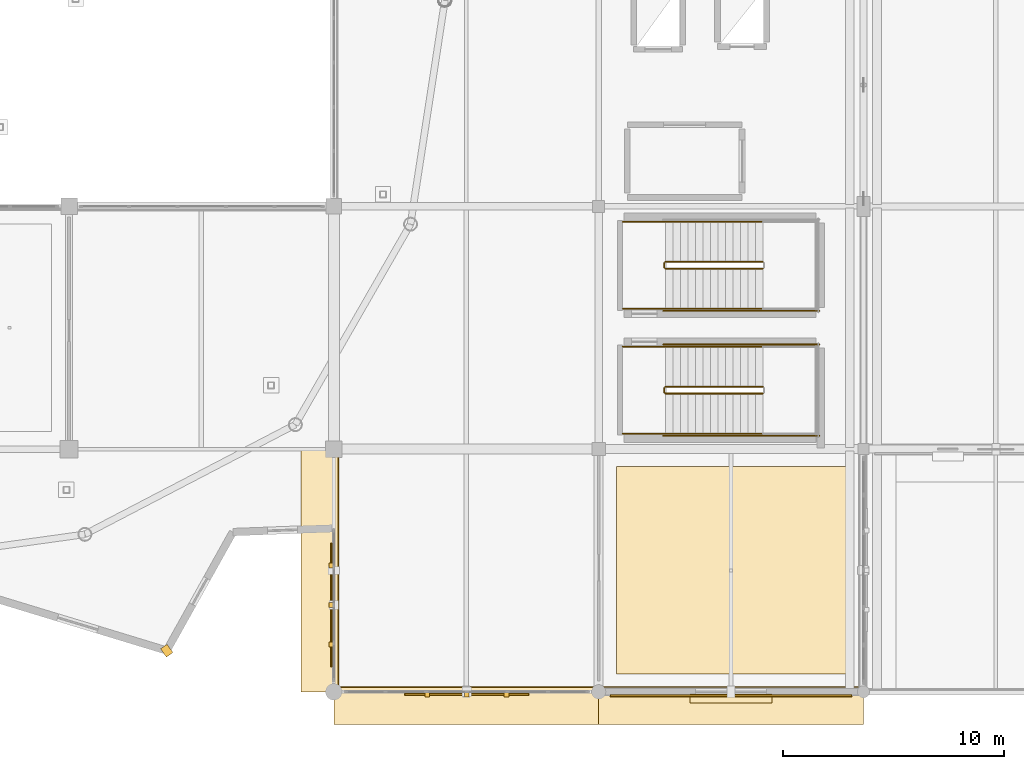
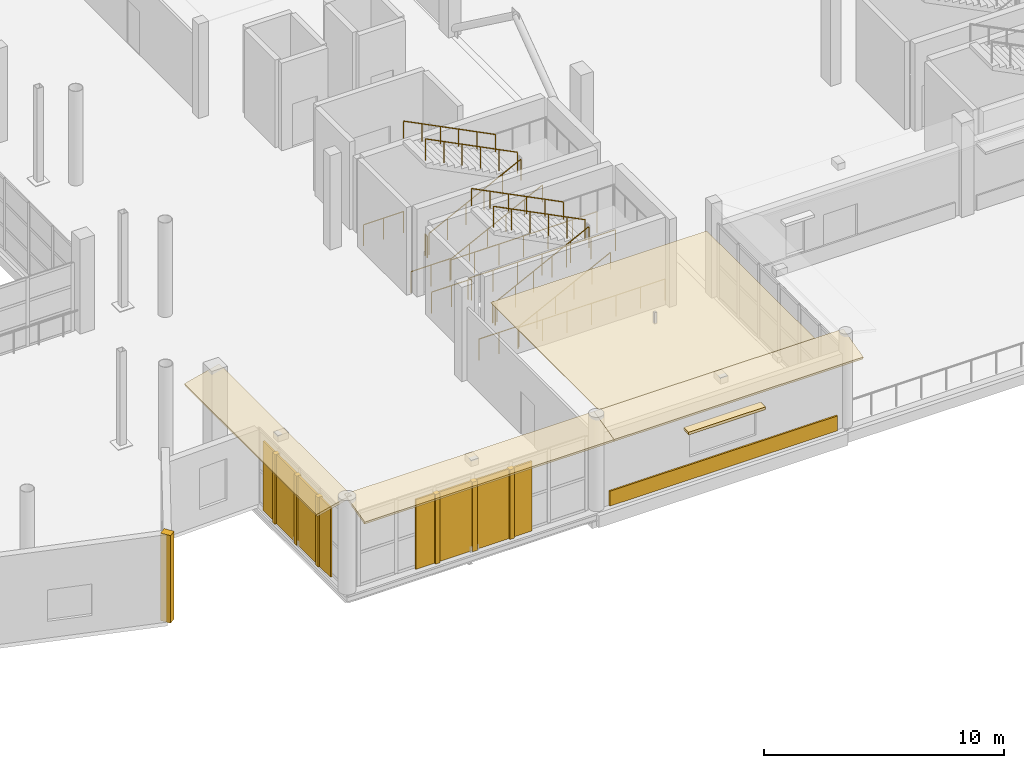
# One storey, part 130 of 143: 17 railings, 13 coverings, 2 shading devices.
"""IFC4 building model written with IfcOpenShell, lengths in metres."""

from ifc_helpers import new_model, si_unit, direction, frame, origin, origin_2d, place, context, subcontext, project, spatial, polyline, rectangle, circle, outline, extrude, material, layer, layer_set, type_object, element, save


model = new_model("IFC4")

# Units and contexts
model_context = context("Model", 3, precision=1e-05, world=origin(), true_north=direction((0.0, 1.0)))
body_context = subcontext(model_context, "Body", "Model", "MODEL_VIEW")
ifc_project = project(units=[si_unit("LENGTHUNIT", "METRE"), si_unit("AREAUNIT", "SQUARE_METRE"), si_unit("VOLUMEUNIT", "CUBIC_METRE"), si_unit("PLANEANGLEUNIT", "RADIAN"), si_unit("MASSUNIT", "GRAM", prefix="KILO")], contexts=[model_context])

# Site, building, storey
site_placement = place(None, origin())
site = spatial("IfcSite", under=ifc_project, at=site_placement, CompositionType="ELEMENT")
building_placement = place(site_placement, origin())
building = spatial("IfcBuilding", under=site, at=building_placement, Name="Luwafu Chhajja Arena", CompositionType="ELEMENT")
storey_placement = place(building_placement, frame((0.0, 0.0, 5.39990234375)))
storey = spatial("IfcBuildingStorey", under=building, at=storey_placement, Name="L01", CompositionType="ELEMENT", Elevation=5.39990234375)

# Coverings
ifc_material_1 = material(Name="Red laterite sandstone cladding", Category="masonry")
ifc_layer_1 = layer(ifc_material_1, 0.074951171875, Name="Red laterite sandstone cladding")
ifc_layer_set_1 = layer_set([ifc_layer_1], Name="Red laterite sandstone cladding")
covering_type_1 = type_object("IfcCoveringType", Name="Dressed Red-Laterite Sandstone Cladding", PredefinedType="CLADDING", material=ifc_layer_set_1)
covering_1_placement = place(storey_placement, frame((132.427490234375, 1.864013671875, 0.0), z_axis=(0.0, 0.0, 1.0), x_axis=(0.574411104334, -0.818566969293, 0.0)))
element("IfcCovering", 1, at=covering_1_placement, inside=storey, type_object=covering_type_1, Name="L01 Pleated Bowl Sandstone Ridge Fin 28", PredefinedType="CLADDING", context=body_context, shape_type="SweptSolid", body=[
    extrude(rectangle(XDim=0.4599609375, YDim=0.360107421875, at=origin_2d()), origin(), (0.0, 0.0, 1.0), 4.455078125),
])
covering_2_placement = place(storey_placement, frame((140.0, 0.199951171875, 4.760009765625), z_axis=(0.0, -0.242502450825, 0.970150793096), x_axis=(1.0, 0.0, 0.0)))
element("IfcCovering", 2, at=covering_2_placement, inside=storey, type_object=covering_type_1, Name="L01 Continuous Sloped Sandstone Chhajja Eave 0102", PredefinedType="CLADDING", context=body_context, shape_type="SweptSolid", body=[
    extrude(outline(polyline([(0.0, 0.0), (12.0, 0.0), (12.0, -1.731619097341133), (0.0, -1.731619097341133), (0.0, 0.0)])), origin(), (0.0, 0.0, -1.0), 0.1298828125),
])
for number, where, z_axis, x_axis, name in (
    (3, (144.23291015625, -0.110107421875, 0.0), (0.0, 0.0, 1.0), (1.0, 0.0, 0.0), "L01 Sandstone Jali Mullion Fin 018"),
    (4, (146.02490234375, -0.110107421875, 0.0), (0.0, 0.0, 1.0), (1.0, 0.0, 0.0), "L01 Sandstone Jali Mullion Fin 018"),
    (5, (147.81689453125, -0.110107421875, 0.0), (0.0, 0.0, 1.0), (1.0, 0.0, 0.0), "L01 Sandstone Jali Mullion Fin 018"),
):
    element("IfcCovering", number, at=place(storey_placement, frame(where, z_axis=z_axis, x_axis=x_axis)), inside=storey, type_object=covering_type_1, Name=name, PredefinedType="CLADDING", context=body_context, shape_type="SweptSolid", body=[
        extrude(rectangle(XDim=0.219970703125, YDim=0.239990234375, at=origin_2d()), origin(), (0.0, 0.0, 1.0), 3.5400390625),
    ])
covering_3_placement = place(storey_placement, frame((140.199951171875, 0.0, 4.760009765625), z_axis=(-0.242502450825, 0.0, 0.970150793096), x_axis=(0.0, 1.0, 0.0)))
element("IfcCovering", 6, at=covering_3_placement, inside=storey, type_object=covering_type_1, Name="L01 Continuous Sloped Sandstone Chhajja Eave 0103", PredefinedType="CLADDING", context=body_context, shape_type="SweptSolid", body=[
    extrude(outline(polyline([(0.0, 0.0), (11.0, 0.0), (11.0, 1.731619097341133), (0.0, 1.731619097341133), (0.0, 0.0)])), origin(), (0.0, 0.0, -1.0), 0.1298828125),
])
for number, where, z_axis, x_axis, name in (
    (7, (139.889892578125, 2.1396484375, 0.0), (0.0, 0.0, 1.0), (0.0, 1.0, 0.0), "L01 Sandstone Jali Mullion Fin 019"),
    (8, (139.889892578125, 3.931640625, 0.0), (0.0, 0.0, 1.0), (0.0, 1.0, 0.0), "L01 Sandstone Jali Mullion Fin 019"),
    (9, (139.889892578125, 5.7236328125, 0.0), (0.0, 0.0, 1.0), (0.0, 1.0, 0.0), "L01 Sandstone Jali Mullion Fin 019"),
):
    element("IfcCovering", number, at=place(storey_placement, frame(where, z_axis=z_axis, x_axis=x_axis)), inside=storey, type_object=covering_type_1, Name=name, PredefinedType="CLADDING", context=body_context, shape_type="SweptSolid", body=[
        extrude(rectangle(XDim=0.219970703125, YDim=0.239990234375, at=origin_2d()), origin(), (0.0, 0.0, 1.0), 3.5400390625),
    ])
covering_4_placement = place(storey_placement, frame((152.0, 0.199951171875, 4.760009765625), z_axis=(0.0, -0.242502450825, 0.970150793096), x_axis=(1.0, 0.0, 0.0)))
element("IfcCovering", 10, at=covering_4_placement, inside=storey, type_object=covering_type_1, Name="L01 Continuous Sloped Sandstone Chhajja Eave 0107", PredefinedType="CLADDING", context=body_context, shape_type="SweptSolid", body=[
    extrude(outline(polyline([(0.0, 0.0), (12.0, 0.0), (12.0, -1.731619097341133), (0.0, -1.731619097341133), (0.0, 0.0)])), origin(), (0.0, 0.0, -1.0), 0.1298828125),
])
covering_5_placement = place(storey_placement, frame((158.0, -0.172119140625, 0.0), z_axis=(0.0, 0.0, 1.0), x_axis=(1.0, 0.0, 0.0)))
element("IfcCovering", 11, at=covering_5_placement, inside=storey, type_object=covering_type_1, Name="L01 Red-Laterite Sandstone Plinth Cladding 029", PredefinedType="CLADDING", context=body_context, shape_type="SweptSolid", body=[
    extrude(rectangle(XDim=10.9599609375, YDim=0.0849609375, at=origin_2d()), origin(), (0.0, 0.0, 1.0), 0.760009765625),
])
covering_6_placement = place(storey_placement, frame((158.0, -0.300048828125, 2.5302734375), z_axis=(0.0, 0.0, 1.0), x_axis=(1.0, 0.0, 0.0)))
element("IfcCovering", 12, at=covering_6_placement, inside=storey, type_object=covering_type_1, Name="L01 Mughal Sandstone Window Chhajja Hood 0028", PredefinedType="CLADDING", context=body_context, shape_type="SweptSolid", body=[
    extrude(rectangle(XDim=3.699951171875, YDim=0.419921875, at=origin_2d()), origin(), (0.0, 0.0, 1.0), 0.139892578125),
])
ifc_material_2 = material(Name="Acoustic gypsum ceiling board")
ifc_layer_2 = layer(ifc_material_2, 0.0400390625, Name="Acoustic gypsum ceiling board")
ifc_layer_set_2 = layer_set([ifc_layer_2], Name="Acoustic gypsum ceiling board")
covering_type_2 = type_object("IfcCoveringType", Name="Perforated Acoustic Baffle Ceiling", PredefinedType="CEILING", material=ifc_layer_set_2)
covering_7_placement = place(storey_placement, frame((0.0, 0.0, 3.92138671875)))
element("IfcCovering", 13, at=covering_7_placement, inside=storey, type_object=covering_type_2, Name="L01 Acoustic Baffle Ceiling 035", PredefinedType="CEILING", context=body_context, shape_type="SweptSolid", body=[
    extrude(outline(polyline([(152.800048828125, 0.800048828125), (163.199951171875, 0.800048828125), (163.199951171875, 10.199951171875), (152.800048828125, 10.199951171875), (152.800048828125, 0.800048828125)])), origin(), (0.0, 0.0, 1.0), 0.0400390625),
])

# Shading devices
ifc_material_3 = material(Name="Pierced buff sandstone jali", Category="masonry")
ifc_layer_3 = layer(ifc_material_3, 0.080078125, Name="Pierced buff sandstone jali")
ifc_layer_set_3 = layer_set([ifc_layer_3], Name="Pierced buff sandstone jali")
shading_device_type = type_object("IfcShadingDeviceType", Name="Pierced Buff-Sandstone Jali Screen", PredefinedType="JALOUSIE", material=ifc_layer_set_3)
for number, where, z_axis, x_axis, name in (
    (14, (146.02490234375, -0.110107421875, 0.0), (0.0, 0.0, 1.0), (1.0, 0.0, 0.0), "L01 Pierced Buff-Sandstone Jali Screen 018"),
    (15, (139.889892578125, 3.931640625, 0.0), (0.0, 0.0, 1.0), (0.0, 1.0, 0.0), "L01 Pierced Buff-Sandstone Jali Screen 019"),
):
    element("IfcShadingDevice", number, at=place(storey_placement, frame(where, z_axis=z_axis, x_axis=x_axis)), inside=storey, type_object=shading_device_type, Name=name, PredefinedType="JALOUSIE", context=body_context, shape_type="SweptSolid", body=[
        extrude(rectangle(XDim=5.60009765625, YDim=0.080078125, at=origin_2d()), origin(), (0.0, 0.0, 1.0), 3.5400390625),
    ])

# Railings
ifc_material_4 = material(Name="Stainless steel handrail", Category="steel")
railing_type_1 = type_object("IfcRailingType", Name="Stair Pitch Wall Handrail 920", PredefinedType="HANDRAIL", material=ifc_material_4)
railing_1_placement = place(storey_placement, frame((155.02001953125, 11.699951171875, 0.171630859375)))
element("IfcRailing", 16, at=railing_1_placement, inside=storey, type_object=railing_type_1, Name="L01 ST-03 stair handrail 1", PredefinedType="HANDRAIL", context=body_context, shape_type="SweptSolid", body=[
    extrude(circle(Radius=0.02392578125, at=origin_2d()), frame((0.0, 0.0, 0.8759765625), z_axis=(0.89292277971, 0.0, 0.450209850486), x_axis=(0.0, 1.0, 0.0)), (0.0, 0.0, 1.0), 4.949951171875),
    extrude(circle(Radius=0.02099609375, at=origin_2d()), origin(), (0.0, 0.0, 1.0), 0.851806640625),
    extrude(circle(Radius=0.02099609375, at=origin_2d()), frame((0.884033203125, 0.0, 0.44580078125)), (0.0, 0.0, 1.0), 0.851806640625),
    extrude(circle(Radius=0.02099609375, at=origin_2d()), frame((1.76806640625, 0.0, 0.891357421875)), (0.0, 0.0, 1.0), 0.851806640625),
    extrude(circle(Radius=0.02099609375, at=origin_2d()), frame((2.65185546875, 0.0, 1.337158203125)), (0.0, 0.0, 1.0), 0.851806640625),
    extrude(circle(Radius=0.02099609375, at=origin_2d()), frame((3.535888671875, 0.0, 1.78271484375)), (0.0, 0.0, 1.0), 0.851806640625),
    extrude(circle(Radius=0.02099609375, at=origin_2d()), frame((4.419921875, 0.0, 2.228515625)), (0.0, 0.0, 1.0), 0.851806640625),
])
railing_2_placement = place(storey_placement, frame((159.43994140625, 15.639892578125, 2.571533203125)))
element("IfcRailing", 17, at=railing_2_placement, inside=storey, type_object=railing_type_1, Name="L01 ST-03 stair handrail 2", PredefinedType="HANDRAIL", context=body_context, shape_type="SweptSolid", body=[
    extrude(circle(Radius=0.02392578125, at=origin_2d()), frame((0.0, 0.0, 0.8759765625), z_axis=(-0.89292277971, 0.0, 0.450209850486), x_axis=(0.0, -1.0, 0.0)), (0.0, 0.0, 1.0), 4.949951171875),
    extrude(circle(Radius=0.02099609375, at=origin_2d()), origin(), (0.0, 0.0, 1.0), 0.851806640625),
    extrude(circle(Radius=0.02099609375, at=origin_2d()), frame((-0.884033203125, 0.0, 0.44580078125)), (0.0, 0.0, 1.0), 0.851806640625),
    extrude(circle(Radius=0.02099609375, at=origin_2d()), frame((-1.76806640625, 0.0, 0.891357421875)), (0.0, 0.0, 1.0), 0.851806640625),
    extrude(circle(Radius=0.02099609375, at=origin_2d()), frame((-2.65185546875, 0.0, 1.337158203125)), (0.0, 0.0, 1.0), 0.851806640625),
    extrude(circle(Radius=0.02099609375, at=origin_2d()), frame((-3.535888671875, 0.0, 1.78271484375)), (0.0, 0.0, 1.0), 0.851806640625),
    extrude(circle(Radius=0.02099609375, at=origin_2d()), frame((-4.419921875, 0.0, 2.228515625)), (0.0, 0.0, 1.0), 0.851806640625),
])
railing_3_placement = place(storey_placement, frame((155.02001953125, 17.360107421875, 0.171630859375)))
element("IfcRailing", 18, at=railing_3_placement, inside=storey, type_object=railing_type_1, Name="L01 ST-04 stair handrail 1", PredefinedType="HANDRAIL", context=body_context, shape_type="SweptSolid", body=[
    extrude(circle(Radius=0.02392578125, at=origin_2d()), frame((0.0, 0.0, 0.8759765625), z_axis=(0.89292277971, 0.0, 0.450209850486), x_axis=(0.0, 1.0, 0.0)), (0.0, 0.0, 1.0), 4.949951171875),
    extrude(circle(Radius=0.02099609375, at=origin_2d()), origin(), (0.0, 0.0, 1.0), 0.851806640625),
    extrude(circle(Radius=0.02099609375, at=origin_2d()), frame((0.884033203125, 0.0, 0.44580078125)), (0.0, 0.0, 1.0), 0.851806640625),
    extrude(circle(Radius=0.02099609375, at=origin_2d()), frame((1.76806640625, 0.0, 0.891357421875)), (0.0, 0.0, 1.0), 0.851806640625),
    extrude(circle(Radius=0.02099609375, at=origin_2d()), frame((2.65185546875, 0.0, 1.337158203125)), (0.0, 0.0, 1.0), 0.851806640625),
    extrude(circle(Radius=0.02099609375, at=origin_2d()), frame((3.535888671875, 0.0, 1.78271484375)), (0.0, 0.0, 1.0), 0.851806640625),
    extrude(circle(Radius=0.02099609375, at=origin_2d()), frame((4.419921875, 0.0, 2.228515625)), (0.0, 0.0, 1.0), 0.851806640625),
])
railing_4_placement = place(storey_placement, frame((159.43994140625, 21.300048828125, 2.571533203125)))
element("IfcRailing", 19, at=railing_4_placement, inside=storey, type_object=railing_type_1, Name="L01 ST-04 stair handrail 2", PredefinedType="HANDRAIL", context=body_context, shape_type="SweptSolid", body=[
    extrude(circle(Radius=0.02392578125, at=origin_2d()), frame((0.0, 0.0, 0.8759765625), z_axis=(-0.89292277971, 0.0, 0.450209850486), x_axis=(0.0, -1.0, 0.0)), (0.0, 0.0, 1.0), 4.949951171875),
    extrude(circle(Radius=0.02099609375, at=origin_2d()), origin(), (0.0, 0.0, 1.0), 0.851806640625),
    extrude(circle(Radius=0.02099609375, at=origin_2d()), frame((-0.884033203125, 0.0, 0.44580078125)), (0.0, 0.0, 1.0), 0.851806640625),
    extrude(circle(Radius=0.02099609375, at=origin_2d()), frame((-1.76806640625, 0.0, 0.891357421875)), (0.0, 0.0, 1.0), 0.851806640625),
    extrude(circle(Radius=0.02099609375, at=origin_2d()), frame((-2.65185546875, 0.0, 1.337158203125)), (0.0, 0.0, 1.0), 0.851806640625),
    extrude(circle(Radius=0.02099609375, at=origin_2d()), frame((-3.535888671875, 0.0, 1.78271484375)), (0.0, 0.0, 1.0), 0.851806640625),
    extrude(circle(Radius=0.02099609375, at=origin_2d()), frame((-4.419921875, 0.0, 2.228515625)), (0.0, 0.0, 1.0), 0.851806640625),
])
ifc_material_5 = material(Name="Stainless steel balustrade", Category="steel")
railing_type_2 = type_object("IfcRailingType", Name="Stair and Terrace Guard Balustrade 1100", PredefinedType="BALUSTRADE", material=ifc_material_5)
railing_5_placement = place(storey_placement, frame((155.02001953125, 13.52001953125, 0.171630859375)))
element("IfcRailing", 20, at=railing_5_placement, inside=storey, type_object=railing_type_2, Name="L01 ST-03 stair guard 1", PredefinedType="BALUSTRADE", context=body_context, shape_type="SweptSolid", body=[
    extrude(circle(Radius=0.02392578125, at=origin_2d()), frame((0.0, 0.0, 1.076171875), z_axis=(0.89292277971, 0.0, 0.450209850486), x_axis=(0.0, 1.0, 0.0)), (0.0, 0.0, 1.0), 4.949951171875),
    extrude(circle(Radius=0.02099609375, at=origin_2d()), origin(), (0.0, 0.0, 1.0), 1.052001953125),
    extrude(circle(Radius=0.02099609375, at=origin_2d()), frame((0.884033203125, 0.0, 0.44580078125)), (0.0, 0.0, 1.0), 1.052001953125),
    extrude(circle(Radius=0.02099609375, at=origin_2d()), frame((1.76806640625, 0.0, 0.891357421875)), (0.0, 0.0, 1.0), 1.052001953125),
    extrude(circle(Radius=0.02099609375, at=origin_2d()), frame((2.65185546875, 0.0, 1.337158203125)), (0.0, 0.0, 1.0), 1.052001953125),
    extrude(circle(Radius=0.02099609375, at=origin_2d()), frame((3.535888671875, 0.0, 1.78271484375)), (0.0, 0.0, 1.0), 1.052001953125),
    extrude(circle(Radius=0.02099609375, at=origin_2d()), frame((4.419921875, 0.0, 2.228515625)), (0.0, 0.0, 1.0), 1.052001953125),
])
railing_6_placement = place(storey_placement, frame((159.43994140625, 13.820068359375, 2.571533203125)))
element("IfcRailing", 21, at=railing_6_placement, inside=storey, type_object=railing_type_2, Name="L01 ST-03 stair guard 6", PredefinedType="BALUSTRADE", context=body_context, shape_type="SweptSolid", body=[
    extrude(circle(Radius=0.02392578125, at=origin_2d()), frame((0.0, 0.0, 1.076171875), z_axis=(-0.89292277971, 0.0, 0.450209850486), x_axis=(0.0, -1.0, 0.0)), (0.0, 0.0, 1.0), 4.949951171875),
    extrude(circle(Radius=0.02099609375, at=origin_2d()), origin(), (0.0, 0.0, 1.0), 1.052001953125),
    extrude(circle(Radius=0.02099609375, at=origin_2d()), frame((-0.884033203125, 0.0, 0.44580078125)), (0.0, 0.0, 1.0), 1.052001953125),
    extrude(circle(Radius=0.02099609375, at=origin_2d()), frame((-1.76806640625, 0.0, 0.891357421875)), (0.0, 0.0, 1.0), 1.052001953125),
    extrude(circle(Radius=0.02099609375, at=origin_2d()), frame((-2.65185546875, 0.0, 1.337158203125)), (0.0, 0.0, 1.0), 1.052001953125),
    extrude(circle(Radius=0.02099609375, at=origin_2d()), frame((-3.535888671875, 0.0, 1.78271484375)), (0.0, 0.0, 1.0), 1.052001953125),
    extrude(circle(Radius=0.02099609375, at=origin_2d()), frame((-4.419921875, 0.0, 2.228515625)), (0.0, 0.0, 1.0), 1.052001953125),
])
railing_7_placement = place(storey_placement, frame((154.969970703125, 13.570068359375, 0.0)))
element("IfcRailing", 22, at=railing_7_placement, inside=storey, type_object=railing_type_2, Name="L01 ST-03 stair guard 7", PredefinedType="BALUSTRADE", context=body_context, shape_type="SweptSolid", body=[
    extrude(circle(Radius=0.02392578125, at=origin_2d()), frame((0.0, 0.0, 1.076171875), z_axis=(0.0, 1.0, 0.0), x_axis=(-1.0, 0.0, 0.0)), (0.0, 0.0, 1.0), 0.199951171875),
    extrude(circle(Radius=0.02099609375, at=origin_2d()), origin(), (0.0, 0.0, 1.0), 1.052001953125),
    extrude(circle(Radius=0.02099609375, at=origin_2d()), frame((0.0, 0.199951171875, 0.0)), (0.0, 0.0, 1.0), 1.052001953125),
])
for number, where, name in (
    (23, (153.10009765625, 11.699951171875, 0.0), "L01 ST-03 stair guard 8"),
    (24, (153.10009765625, 15.639892578125, 0.0), "L01 ST-03 stair guard 9"),
):
    element("IfcRailing", number, at=place(storey_placement, frame(where)), inside=storey, type_object=railing_type_2, Name=name, PredefinedType="BALUSTRADE", context=body_context, shape_type="SweptSolid", body=[
        extrude(circle(Radius=0.02392578125, at=origin_2d()), frame((0.0, 0.0, 1.076171875), z_axis=(1.0, 0.0, 0.0), x_axis=(0.0, 1.0, 0.0)), (0.0, 0.0, 1.0), 1.919921875),
        extrude(circle(Radius=0.02099609375, at=origin_2d()), origin(), (0.0, 0.0, 1.0), 1.052001953125),
        extrude(circle(Radius=0.02099609375, at=origin_2d()), frame((0.9599609375, 0.0, 0.0)), (0.0, 0.0, 1.0), 1.052001953125),
        extrude(circle(Radius=0.02099609375, at=origin_2d()), frame((1.919921875, 0.0, 0.0)), (0.0, 0.0, 1.0), 1.052001953125),
    ])
for number, where, name in (
    (25, (154.919921875, 11.60009765625, 0.0), "L01 ST-03 stair guard 10"),
    (26, (154.919921875, 15.739990234375, 0.0), "L01 ST-03 stair guard 11"),
):
    element("IfcRailing", number, at=place(storey_placement, frame(where)), inside=storey, type_object=railing_type_2, Name=name, PredefinedType="BALUSTRADE", context=body_context, shape_type="SweptSolid", body=[
        extrude(circle(Radius=0.02392578125, at=origin_2d()), frame((0.0, 0.0, 1.076171875), z_axis=(1.0, 0.0, 0.0), x_axis=(0.0, 1.0, 0.0)), (0.0, 0.0, 1.0), 7.080078125),
        extrude(circle(Radius=0.02099609375, at=origin_2d()), origin(), (0.0, 0.0, 1.0), 1.052001953125),
        extrude(circle(Radius=0.02099609375, at=origin_2d()), frame((1.179931640625, 0.0, 0.0)), (0.0, 0.0, 1.0), 1.052001953125),
        extrude(circle(Radius=0.02099609375, at=origin_2d()), frame((2.360107421875, 0.0, 0.0)), (0.0, 0.0, 1.0), 1.052001953125),
        extrude(circle(Radius=0.02099609375, at=origin_2d()), frame((3.5400390625, 0.0, 0.0)), (0.0, 0.0, 1.0), 1.052001953125),
        extrude(circle(Radius=0.02099609375, at=origin_2d()), frame((4.719970703125, 0.0, 0.0)), (0.0, 0.0, 1.0), 1.052001953125),
        extrude(circle(Radius=0.02099609375, at=origin_2d()), frame((5.900146484375, 0.0, 0.0)), (0.0, 0.0, 1.0), 1.052001953125),
        extrude(circle(Radius=0.02099609375, at=origin_2d()), frame((7.080078125, 0.0, 0.0)), (0.0, 0.0, 1.0), 1.052001953125),
    ])
railing_8_placement = place(storey_placement, frame((155.02001953125, 19.179931640625, 0.171630859375)))
element("IfcRailing", 27, at=railing_8_placement, inside=storey, type_object=railing_type_2, Name="L01 ST-04 stair guard 1", PredefinedType="BALUSTRADE", context=body_context, shape_type="SweptSolid", body=[
    extrude(circle(Radius=0.02392578125, at=origin_2d()), frame((0.0, 0.0, 1.076171875), z_axis=(0.89292277971, 0.0, 0.450209850486), x_axis=(0.0, 1.0, 0.0)), (0.0, 0.0, 1.0), 4.949951171875),
    extrude(circle(Radius=0.02099609375, at=origin_2d()), origin(), (0.0, 0.0, 1.0), 1.052001953125),
    extrude(circle(Radius=0.02099609375, at=origin_2d()), frame((0.884033203125, 0.0, 0.44580078125)), (0.0, 0.0, 1.0), 1.052001953125),
    extrude(circle(Radius=0.02099609375, at=origin_2d()), frame((1.76806640625, 0.0, 0.891357421875)), (0.0, 0.0, 1.0), 1.052001953125),
    extrude(circle(Radius=0.02099609375, at=origin_2d()), frame((2.65185546875, 0.0, 1.337158203125)), (0.0, 0.0, 1.0), 1.052001953125),
    extrude(circle(Radius=0.02099609375, at=origin_2d()), frame((3.535888671875, 0.0, 1.78271484375)), (0.0, 0.0, 1.0), 1.052001953125),
    extrude(circle(Radius=0.02099609375, at=origin_2d()), frame((4.419921875, 0.0, 2.228515625)), (0.0, 0.0, 1.0), 1.052001953125),
])
railing_9_placement = place(storey_placement, frame((159.43994140625, 19.47998046875, 2.571533203125)))
element("IfcRailing", 28, at=railing_9_placement, inside=storey, type_object=railing_type_2, Name="L01 ST-04 stair guard 6", PredefinedType="BALUSTRADE", context=body_context, shape_type="SweptSolid", body=[
    extrude(circle(Radius=0.02392578125, at=origin_2d()), frame((0.0, 0.0, 1.076171875), z_axis=(-0.89292277971, 0.0, 0.450209850486), x_axis=(0.0, -1.0, 0.0)), (0.0, 0.0, 1.0), 4.949951171875),
    extrude(circle(Radius=0.02099609375, at=origin_2d()), origin(), (0.0, 0.0, 1.0), 1.052001953125),
    extrude(circle(Radius=0.02099609375, at=origin_2d()), frame((-0.884033203125, 0.0, 0.44580078125)), (0.0, 0.0, 1.0), 1.052001953125),
    extrude(circle(Radius=0.02099609375, at=origin_2d()), frame((-1.76806640625, 0.0, 0.891357421875)), (0.0, 0.0, 1.0), 1.052001953125),
    extrude(circle(Radius=0.02099609375, at=origin_2d()), frame((-2.65185546875, 0.0, 1.337158203125)), (0.0, 0.0, 1.0), 1.052001953125),
    extrude(circle(Radius=0.02099609375, at=origin_2d()), frame((-3.535888671875, 0.0, 1.78271484375)), (0.0, 0.0, 1.0), 1.052001953125),
    extrude(circle(Radius=0.02099609375, at=origin_2d()), frame((-4.419921875, 0.0, 2.228515625)), (0.0, 0.0, 1.0), 1.052001953125),
])
railing_10_placement = place(storey_placement, frame((154.969970703125, 19.22998046875, 0.0)))
element("IfcRailing", 29, at=railing_10_placement, inside=storey, type_object=railing_type_2, Name="L01 ST-04 stair guard 7", PredefinedType="BALUSTRADE", context=body_context, shape_type="SweptSolid", body=[
    extrude(circle(Radius=0.02392578125, at=origin_2d()), frame((0.0, 0.0, 1.076171875), z_axis=(0.0, 1.0, 0.0), x_axis=(-1.0, 0.0, 0.0)), (0.0, 0.0, 1.0), 0.199951171875),
    extrude(circle(Radius=0.02099609375, at=origin_2d()), origin(), (0.0, 0.0, 1.0), 1.052001953125),
    extrude(circle(Radius=0.02099609375, at=origin_2d()), frame((0.0, 0.199951171875, 0.0)), (0.0, 0.0, 1.0), 1.052001953125),
])
for number, where, name in (
    (30, (153.10009765625, 17.360107421875, 0.0), "L01 ST-04 stair guard 8"),
    (31, (153.10009765625, 21.300048828125, 0.0), "L01 ST-04 stair guard 9"),
):
    element("IfcRailing", number, at=place(storey_placement, frame(where)), inside=storey, type_object=railing_type_2, Name=name, PredefinedType="BALUSTRADE", context=body_context, shape_type="SweptSolid", body=[
        extrude(circle(Radius=0.02392578125, at=origin_2d()), frame((0.0, 0.0, 1.076171875), z_axis=(1.0, 0.0, 0.0), x_axis=(0.0, 1.0, 0.0)), (0.0, 0.0, 1.0), 1.919921875),
        extrude(circle(Radius=0.02099609375, at=origin_2d()), origin(), (0.0, 0.0, 1.0), 1.052001953125),
        extrude(circle(Radius=0.02099609375, at=origin_2d()), frame((0.9599609375, 0.0, 0.0)), (0.0, 0.0, 1.0), 1.052001953125),
        extrude(circle(Radius=0.02099609375, at=origin_2d()), frame((1.919921875, 0.0, 0.0)), (0.0, 0.0, 1.0), 1.052001953125),
    ])
railing_11_placement = place(storey_placement, frame((154.919921875, 17.260009765625, 0.0)))
element("IfcRailing", 32, at=railing_11_placement, inside=storey, type_object=railing_type_2, Name="L01 ST-04 stair guard 10", PredefinedType="BALUSTRADE", context=body_context, shape_type="SweptSolid", body=[
    extrude(circle(Radius=0.02392578125, at=origin_2d()), frame((0.0, 0.0, 1.076171875), z_axis=(1.0, 0.0, 0.0), x_axis=(0.0, 1.0, 0.0)), (0.0, 0.0, 1.0), 7.080078125),
    extrude(circle(Radius=0.02099609375, at=origin_2d()), origin(), (0.0, 0.0, 1.0), 1.052001953125),
    extrude(circle(Radius=0.02099609375, at=origin_2d()), frame((1.179931640625, 0.0, 0.0)), (0.0, 0.0, 1.0), 1.052001953125),
    extrude(circle(Radius=0.02099609375, at=origin_2d()), frame((2.360107421875, 0.0, 0.0)), (0.0, 0.0, 1.0), 1.052001953125),
    extrude(circle(Radius=0.02099609375, at=origin_2d()), frame((3.5400390625, 0.0, 0.0)), (0.0, 0.0, 1.0), 1.052001953125),
    extrude(circle(Radius=0.02099609375, at=origin_2d()), frame((4.719970703125, 0.0, 0.0)), (0.0, 0.0, 1.0), 1.052001953125),
    extrude(circle(Radius=0.02099609375, at=origin_2d()), frame((5.900146484375, 0.0, 0.0)), (0.0, 0.0, 1.0), 1.052001953125),
    extrude(circle(Radius=0.02099609375, at=origin_2d()), frame((7.080078125, 0.0, 0.0)), (0.0, 0.0, 1.0), 1.052001953125),
])

save(model, "model.ifc")
